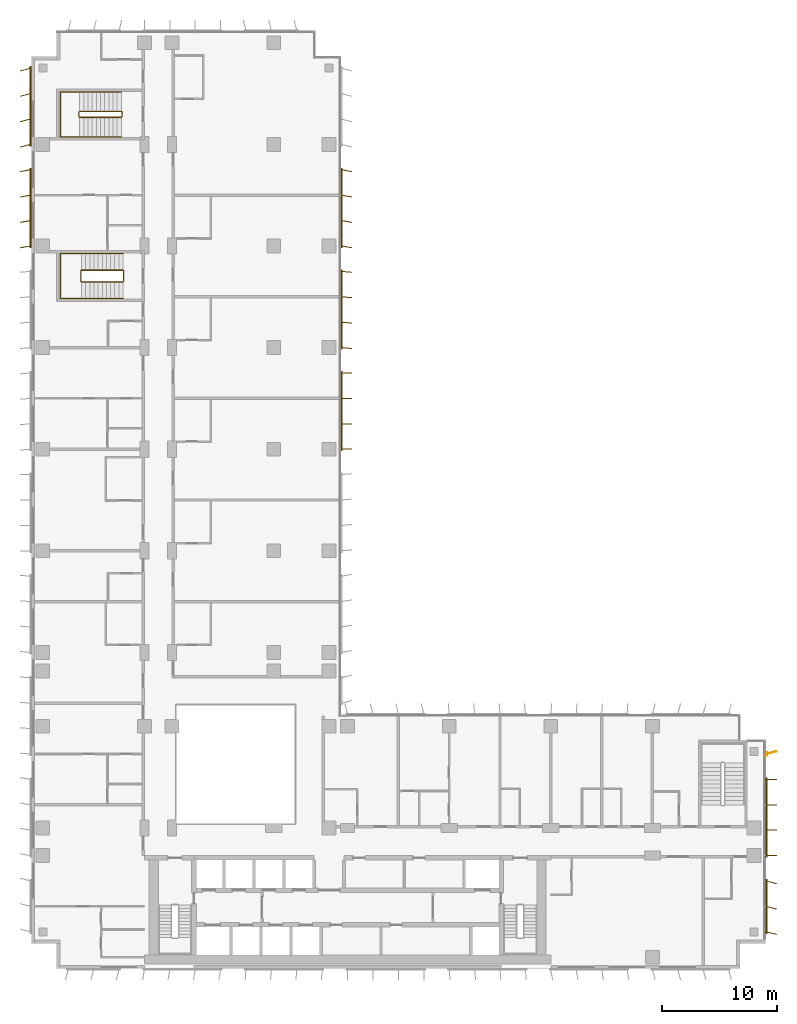
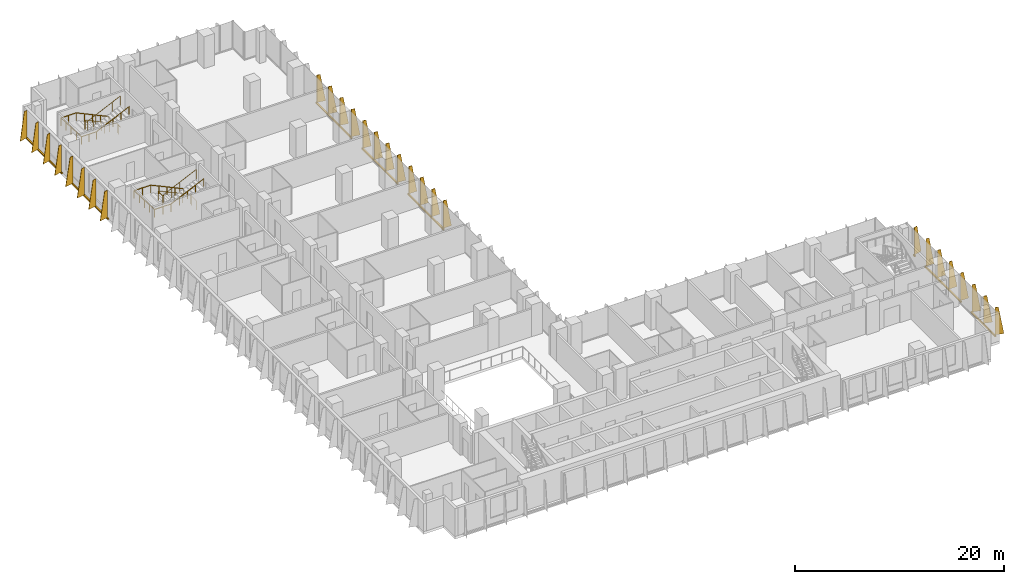
# One storey, part 21 of 22: 8 shading devices, 4 railings.
"""IFC4 building model written with IfcOpenShell, lengths in metres."""

import ifcopenshell
import ifcopenshell.guid

model = None  # the IFC model being written
_history = None  # IfcOwnerHistory: only IFC2X3 demands one
_inside = {}  # id of a spatial element -> (the spatial element, [elements in it])
_under = {}  # id of a project, library or spatial element -> (it, [spatial elements below it])
_declared = {}  # id of a project -> (the project, [libraries it declares])
_typed = {}  # id of a type object -> (the type object, [elements of that type])
_made_of = {}  # id of a material, layer set ... -> (it, [elements and type objects made of it])


def new_model(schema):
    """Start an empty IFC model of exactly this schema.

    Asked for "IFC4X3", IfcOpenShell would pick the latest addendum, in which some entities
    have other attributes; the version numbers below select the first issue.
    IFC2X3 requires an IfcOwnerHistory on every rooted entity: one is made here for all.
    """
    global model, _history
    if schema == "IFC4X3":
        model = ifcopenshell.file(schema_version=(4, 3, 0, 0))
    else:
        model = ifcopenshell.file(schema=schema)
    _inside.clear()
    _under.clear()
    _declared.clear()
    _typed.clear()
    _made_of.clear()
    _history = None
    if model.schema == "IFC2X3":
        org = make("IfcOrganization", Name="unknown")
        user = make(
            "IfcPersonAndOrganization",
            ThePerson=make("IfcPerson", FamilyName="unknown"),
            TheOrganization=org,
        )
        app = make(
            "IfcApplication",
            ApplicationDeveloper=org,
            Version="unknown",
            ApplicationFullName="unknown",
            ApplicationIdentifier="unknown",
        )
        _history = make(
            "IfcOwnerHistory",
            OwningUser=user,
            OwningApplication=app,
            ChangeAction="ADDED",
            CreationDate=0,
        )
    return model


def make(cls, **values):
    """One entity of the class cls with the attributes given. An attribute that is None is left unset."""
    return model.create_entity(
        cls, **{name: value for name, value in values.items() if value is not None}
    )


def rooted(cls, **values):
    """An entity with a GlobalId (a new one), such as an element, a storey or a relation."""
    return make(cls, GlobalId=ifcopenshell.guid.new(), OwnerHistory=_history, **values)


def si_unit(unit_type, name, prefix=None):
    """IfcSIUnit, for example si_unit("LENGTHUNIT", "METRE", prefix="MILLI")."""
    return make("IfcSIUnit", UnitType=unit_type, Prefix=prefix, Name=name)


def assignment(units):
    """IfcUnitAssignment: the units of a project."""
    return None if units is None else make("IfcUnitAssignment", Units=units)


def point(xyz):
    """IfcCartesianPoint."""
    return None if xyz is None else make("IfcCartesianPoint", Coordinates=xyz)


def direction(xyz):
    """IfcDirection."""
    return None if xyz is None else make("IfcDirection", DirectionRatios=xyz)


def frame(location, z_axis=None, x_axis=None):
    """IfcAxis2Placement3D, a coordinate frame: its origin and axes. An axis left out is left unset."""
    return make(
        "IfcAxis2Placement3D",
        Location=point(location),
        Axis=direction(z_axis),
        RefDirection=direction(x_axis),
    )


def frame_2d(location, x_axis=None):
    """IfcAxis2Placement2D, a coordinate frame in the plane: its origin and x axis."""
    return make(
        "IfcAxis2Placement2D", Location=point(location), RefDirection=direction(x_axis)
    )


def origin():
    """The frame at (0, 0, 0) with its axes left unset."""
    return frame((0.0, 0.0, 0.0))


def origin_2d():
    """The frame at (0, 0) in the plane with its x axis left unset."""
    return frame_2d((0.0, 0.0))


def place(relative_to, where):
    """IfcLocalPlacement: puts the frame where relative to a parent placement (None: the world)."""
    return make(
        "IfcLocalPlacement", PlacementRelTo=relative_to, RelativePlacement=where
    )


def context(
    kind, dimensions, precision=None, world=None, true_north=None, identifier=None
):
    """IfcGeometricRepresentationContext, for example the 3D "Model" context."""
    return make(
        "IfcGeometricRepresentationContext",
        ContextIdentifier=identifier,
        ContextType=kind,
        CoordinateSpaceDimension=dimensions,
        Precision=precision,
        WorldCoordinateSystem=world,
        TrueNorth=true_north,
    )


def subcontext(parent, identifier, kind, view, scale=None):
    """IfcGeometricRepresentationSubContext, for example "Body" below "Model"."""
    return make(
        "IfcGeometricRepresentationSubContext",
        ContextIdentifier=identifier,
        ContextType=kind,
        ParentContext=parent,
        TargetScale=scale,
        TargetView=view,
    )


def project(units=None, contexts=None):
    """IfcProject with its units and contexts."""
    return rooted(
        "IfcProject",
        Name="project",
        RepresentationContexts=contexts,
        UnitsInContext=assignment(units),
    )


def spatial(cls, under=None, at=None, **own):
    """A site, building, storey or space (cls), placed at a placement, below another one or the project."""
    s = rooted(cls, ObjectPlacement=at, **own)
    if under is not None:
        _under.setdefault(under.id(), (under, []))[1].append(s)
    return s


def polyline(points):
    """IfcPolyline through the points."""
    return make("IfcPolyline", Points=[point(p) for p in points])


def profile(cls, at=None, kind="AREA", **sizes):
    """A parametric profile (cls). Its sizes go by their IFC names, for example OverallWidth=200.0."""
    return make(cls, ProfileType=kind, Position=at, **sizes)


def rectangle(**sizes):
    """IfcRectangleProfileDef."""
    return profile("IfcRectangleProfileDef", **sizes)


def circle(**sizes):
    """IfcCircleProfileDef."""
    return profile("IfcCircleProfileDef", **sizes)


def outline(outer, holes=None, kind="AREA"):
    """IfcArbitraryClosedProfileDef: a profile drawn as a closed curve; with holes, ...WithVoids."""
    if holes is None:
        return make("IfcArbitraryClosedProfileDef", ProfileType=kind, OuterCurve=outer)
    return make(
        "IfcArbitraryProfileDefWithVoids",
        ProfileType=kind,
        OuterCurve=outer,
        InnerCurves=holes,
    )


def extrude(swept, where, along, depth):
    """IfcExtrudedAreaSolid: the profile swept, set in the frame where, extruded along a direction by depth."""
    return make(
        "IfcExtrudedAreaSolid",
        SweptArea=swept,
        Position=where,
        ExtrudedDirection=direction(along),
        Depth=depth,
    )


def shape(context_of_items, identifier, shape_type, items):
    """IfcShapeRepresentation: the items that make up one representation, for example the "Body"."""
    return make(
        "IfcShapeRepresentation",
        ContextOfItems=context_of_items,
        RepresentationIdentifier=identifier,
        RepresentationType=shape_type,
        Items=items,
    )


def source(mapping_origin, context_of_items, identifier, shape_type, items):
    """IfcRepresentationMap: a shape defined once, which mapped items show again and again."""
    return make(
        "IfcRepresentationMap",
        MappingOrigin=mapping_origin,
        MappedRepresentation=shape(context_of_items, identifier, shape_type, items),
    )


def transform(
    local_origin,
    x_axis=None,
    y_axis=None,
    z_axis=None,
    scale=None,
    scale2=None,
    scale3=None,
    uniform=True,
):
    """IfcCartesianTransformationOperator3D, or its non-uniform kind. x_axis, y_axis, z_axis: its Axis1, 2, 3."""
    if uniform:
        return make(
            "IfcCartesianTransformationOperator3D",
            Axis1=direction(x_axis),
            Axis2=direction(y_axis),
            LocalOrigin=point(local_origin),
            Scale=scale,
            Axis3=direction(z_axis),
        )
    return make(
        "IfcCartesianTransformationOperator3DnonUniform",
        Axis1=direction(x_axis),
        Axis2=direction(y_axis),
        LocalOrigin=point(local_origin),
        Scale=scale,
        Axis3=direction(z_axis),
        Scale2=scale2,
        Scale3=scale3,
    )


def mapped(mapping_source, mapping_target):
    """IfcMappedItem: shows the shape of a source again, moved by a transform."""
    return make(
        "IfcMappedItem", MappingSource=mapping_source, MappingTarget=mapping_target
    )


def material(Name=None, Category=None):
    """IfcMaterial."""
    return make("IfcMaterial", Name=Name, Category=Category)


def layer(
    of_material, thickness, ventilated=None, Name=None, Category=None, Priority=None
):
    """IfcMaterialLayer: one layer of a wall or slab, of a material (None: an air gap)."""
    return make(
        "IfcMaterialLayer",
        Material=of_material,
        LayerThickness=thickness,
        IsVentilated=ventilated,
        Name=Name,
        Category=Category,
        Priority=Priority,
    )


def layer_set(layers, Name=None):
    """IfcMaterialLayerSet."""
    return make("IfcMaterialLayerSet", MaterialLayers=layers, LayerSetName=Name)


def made_of(thing, what):
    """Note that an element or type object is made of a material, layer set ...; save() writes the relation."""
    if what is not None:
        _made_of.setdefault(what.id(), (what, []))[1].append(thing)
    return thing


def type_object(cls, material=None, **own):
    """A type object (cls), such as IfcWallType, which elements share."""
    return made_of(rooted(cls, **own), material)


def element(
    cls,
    number,
    at=None,
    inside=None,
    cuts=None,
    type_object=None,
    material=None,
    context=None,
    identifier="Body",
    shape_type=None,
    held_by="IfcProductDefinitionShape",
    body=None,
    shapes=None,
    **own,
):
    """One element of the class cls, such as IfcWall. Its Tag is "e" and its number.

    at: its placement. inside: the storey or other place that contains it. cuts: it is an
    opening in that element (IfcRelVoidsElement). A single representation is given by context,
    identifier, shape_type and body (its items); several are given by shapes. held_by: the class
    of the entity that holds the representations. save() writes the other relations.
    """
    e = rooted(cls, Tag="e%d" % number, ObjectPlacement=at, **own)
    if body is not None:
        shapes = [shape(context, identifier, shape_type, body)]
    if shapes is not None:
        e.Representation = make(held_by, Representations=shapes)
    if inside is not None:
        _inside.setdefault(inside.id(), (inside, []))[1].append(e)
    if cuts is not None:
        rooted(
            "IfcRelVoidsElement", RelatingBuildingElement=cuts, RelatedOpeningElement=e
        )
    if type_object is not None:
        _typed.setdefault(type_object.id(), (type_object, []))[1].append(e)
    return made_of(e, material)


def aggregate(whole, parts):
    """IfcRelAggregates: a whole, such as a stair, and the parts it consists of."""
    return rooted("IfcRelAggregates", RelatingObject=whole, RelatedObjects=parts)


def save(model, path):
    """Write the relations noted so far, then the file.

    IfcRelAggregates (storeys below a building ...), IfcRelContainedInSpatialStructure (elements
    in a storey), IfcRelDefinesByType, IfcRelAssociatesMaterial and IfcRelDeclares: one each for
    every whole, place, type object, material and project.
    """
    for whole, parts in _under.values():
        aggregate(whole, parts)
    for where, things in _inside.values():
        rooted(
            "IfcRelContainedInSpatialStructure",
            RelatedElements=things,
            RelatingStructure=where,
        )
    for kind, things in _typed.values():
        rooted("IfcRelDefinesByType", RelatedObjects=things, RelatingType=kind)
    for what, things in _made_of.values():
        rooted("IfcRelAssociatesMaterial", RelatedObjects=things, RelatingMaterial=what)
    for by, libraries in _declared.values():
        rooted("IfcRelDeclares", RelatingContext=by, RelatedDefinitions=libraries)
    model.write(path)


model = new_model("IFC4")

# Units and contexts
model_context = context("Model", 3, precision=1e-05, world=origin(), true_north=direction((0.0, 1.0)))
body_context = subcontext(model_context, "Body", "Model", "MODEL_VIEW")
ifc_project = project(units=[si_unit("LENGTHUNIT", "METRE"), si_unit("AREAUNIT", "SQUARE_METRE"), si_unit("VOLUMEUNIT", "CUBIC_METRE"), si_unit("PLANEANGLEUNIT", "RADIAN"), si_unit("MASSUNIT", "GRAM", prefix="KILO")], contexts=[model_context])

# Site, building, storey
site_placement = place(None, origin())
site = spatial("IfcSite", under=ifc_project, at=site_placement, CompositionType="ELEMENT")
building_placement = place(site_placement, origin())
building = spatial("IfcBuilding", under=site, at=building_placement, Name="Kemantara Hotel Tower", CompositionType="ELEMENT")
storey_placement = place(building_placement, frame((0.0, 0.0, 149.39990234375)))
storey = spatial("IfcBuildingStorey", under=building, at=storey_placement, Name="L36", CompositionType="ELEMENT", Elevation=149.39990234375)

# Railings
ifc_material_1 = material(Name="Stainless steel balustrade", Category="steel")
railing_type_1 = type_object("IfcRailingType", Name="Stair guard 1100 mm", PredefinedType="GUARDRAIL", material=ifc_material_1)
railing_1_placement = place(storey_placement, frame((7.949951171875, 59.5, 3.7001953125)))
element("IfcRailing", 1, at=railing_1_placement, inside=storey, type_object=railing_type_1, Name="L36 ST4 stair guard 1", PredefinedType="GUARDRAIL", context=body_context, shape_type="SweptSolid", body=[
    extrude(circle(Radius=0.02392578125, at=origin_2d()), frame((0.0, 0.0, 1.076171875), z_axis=(-0.905994681025, 0.0, -0.423289071386), x_axis=(0.0, -1.0, 0.0)), (0.0, 0.0, 1.0), 3.973388671875),
    extrude(circle(Radius=0.02392578125, at=origin_2d()), frame((-3.599853515625, 0.0, -0.60595703125), z_axis=(-0.274243871929, 0.274243871929, -0.92172696468), x_axis=(-0.707106781187, -0.707106781187, 0.0)), (0.0, 0.0, 1.0), 0.1826171875),
    extrude(circle(Radius=0.02392578125, at=origin_2d()), frame((-3.64990234375, 0.050048828125, -0.77392578125), z_axis=(0.0, 1.0, 0.0), x_axis=(-1.0, 0.0, 0.0)), (0.0, 0.0, 1.0), 0.89990234375),
    extrude(circle(Radius=0.02392578125, at=origin_2d()), frame((-3.64990234375, 0.949951171875, -0.77392578125), z_axis=(0.707106781187, 0.707106781187, 0.0), x_axis=(-0.707106781187, 0.707106781187, 0.0)), (0.0, 0.0, 1.0), 0.07080078125),
    extrude(circle(Radius=0.02392578125, at=origin_2d()), frame((-3.599853515625, 1.0, -0.77392578125), z_axis=(0.905994681025, 0.0, -0.423289071386), x_axis=(0.0, 1.0, 0.0)), (0.0, 0.0, 1.0), 3.973388671875),
    extrude(circle(Radius=0.02392578125, at=origin_2d()), frame((0.0, 1.0, -2.4560546875), z_axis=(0.274243871929, -0.274243871929, -0.92172696468), x_axis=(0.707106781187, 0.707106781187, 0.0)), (0.0, 0.0, 1.0), 0.1826171875),
    extrude(circle(Radius=0.02392578125, at=origin_2d()), frame((0.050048828125, 0.949951171875, -2.6240234375), z_axis=(0.0, -1.0, 0.0), x_axis=(1.0, 0.0, 0.0)), (0.0, 0.0, 1.0), 0.89990234375),
    extrude(circle(Radius=0.02099609375, at=origin_2d()), origin(), (0.0, 0.0, 1.0), 1.052001953125),
    extrude(circle(Radius=0.02099609375, at=origin_2d()), frame((-0.89990234375, 0.0, -0.42041015625)), (0.0, 0.0, 1.0), 1.052001953125),
    extrude(circle(Radius=0.02099609375, at=origin_2d()), frame((-1.7998046875, 0.0, -0.8408203125)), (0.0, 0.0, 1.0), 1.052001953125),
    extrude(circle(Radius=0.02099609375, at=origin_2d()), frame((-2.699951171875, 0.0, -1.261474609375)), (0.0, 0.0, 1.0), 1.052001953125),
    extrude(circle(Radius=0.02099609375, at=origin_2d()), frame((-3.599853515625, 0.0, -1.681884765625)), (0.0, 0.0, 1.0), 1.052001953125),
    extrude(circle(Radius=0.02099609375, at=origin_2d()), frame((-3.64990234375, 0.050048828125, -1.85009765625)), (0.0, 0.0, 1.0), 1.052001953125),
    extrude(circle(Radius=0.02099609375, at=origin_2d()), frame((-3.64990234375, 0.949951171875, -1.85009765625)), (0.0, 0.0, 1.0), 1.052001953125),
    extrude(circle(Radius=0.02099609375, at=origin_2d()), frame((-3.599853515625, 1.0, -1.85009765625)), (0.0, 0.0, 1.0), 1.052001953125),
    extrude(circle(Radius=0.02099609375, at=origin_2d()), frame((-2.699951171875, 1.0, -2.2705078125)), (0.0, 0.0, 1.0), 1.052001953125),
    extrude(circle(Radius=0.02099609375, at=origin_2d()), frame((-1.7998046875, 1.0, -2.69091796875)), (0.0, 0.0, 1.0), 1.052001953125),
    extrude(circle(Radius=0.02099609375, at=origin_2d()), frame((-0.89990234375, 1.0, -3.111572265625)), (0.0, 0.0, 1.0), 1.052001953125),
    extrude(circle(Radius=0.02099609375, at=origin_2d()), frame((0.0, 1.0, -3.531982421875)), (0.0, 0.0, 1.0), 1.052001953125),
    extrude(circle(Radius=0.02099609375, at=origin_2d()), frame((0.050048828125, 0.949951171875, -3.7001953125)), (0.0, 0.0, 1.0), 1.052001953125),
    extrude(circle(Radius=0.02099609375, at=origin_2d()), frame((0.050048828125, 0.050048828125, -3.7001953125)), (0.0, 0.0, 1.0), 1.052001953125),
])
railing_2_placement = place(storey_placement, frame((7.800048828125, 73.75, 3.7001953125)))
element("IfcRailing", 2, at=railing_2_placement, inside=storey, type_object=railing_type_1, Name="L36 ST6 stair guard 1", PredefinedType="GUARDRAIL", context=body_context, shape_type="SweptSolid", body=[
    extrude(circle(Radius=0.02392578125, at=origin_2d()), frame((0.0, 0.0, 1.076171875), z_axis=(-0.906005689286, 0.0, -0.423265508849), x_axis=(0.0, -1.0, 0.0)), (0.0, 0.0, 1.0), 3.9736328125),
    extrude(circle(Radius=0.02392578125, at=origin_2d()), frame((-3.60009765625, 0.0, -0.60595703125), z_axis=(-0.274243871929, 0.274243871929, -0.92172696468), x_axis=(-0.707106781187, -0.707106781187, 0.0)), (0.0, 0.0, 1.0), 0.1826171875),
    extrude(circle(Radius=0.02392578125, at=origin_2d()), frame((-3.650146484375, 0.050048828125, -0.77392578125), z_axis=(0.0, 1.0, 0.0), x_axis=(-1.0, 0.0, 0.0)), (0.0, 0.0, 1.0), 0.39990234375),
    extrude(circle(Radius=0.02392578125, at=origin_2d()), frame((-3.650146484375, 0.449951171875, -0.77392578125), z_axis=(0.707106781187, 0.707106781187, 0.0), x_axis=(-0.707106781187, 0.707106781187, 0.0)), (0.0, 0.0, 1.0), 0.07080078125),
    extrude(circle(Radius=0.02392578125, at=origin_2d()), frame((-3.60009765625, 0.5, -0.77392578125), z_axis=(0.906005689286, 0.0, -0.423265508849), x_axis=(0.0, 1.0, 0.0)), (0.0, 0.0, 1.0), 3.9736328125),
    extrude(circle(Radius=0.02392578125, at=origin_2d()), frame((0.0, 0.5, -2.4560546875), z_axis=(0.274243871929, -0.274243871929, -0.92172696468), x_axis=(0.707106781187, 0.707106781187, 0.0)), (0.0, 0.0, 1.0), 0.1826171875),
    extrude(circle(Radius=0.02392578125, at=origin_2d()), frame((0.050048828125, 0.449951171875, -2.6240234375), z_axis=(0.0, -1.0, 0.0), x_axis=(1.0, 0.0, 0.0)), (0.0, 0.0, 1.0), 0.39990234375),
    extrude(circle(Radius=0.02099609375, at=origin_2d()), origin(), (0.0, 0.0, 1.0), 1.052001953125),
    extrude(circle(Radius=0.02099609375, at=origin_2d()), frame((-0.89990234375, 0.0, -0.42041015625)), (0.0, 0.0, 1.0), 1.052001953125),
    extrude(circle(Radius=0.02099609375, at=origin_2d()), frame((-1.800048828125, 0.0, -0.8408203125)), (0.0, 0.0, 1.0), 1.052001953125),
    extrude(circle(Radius=0.02099609375, at=origin_2d()), frame((-2.7001953125, 0.0, -1.261474609375)), (0.0, 0.0, 1.0), 1.052001953125),
    extrude(circle(Radius=0.02099609375, at=origin_2d()), frame((-3.60009765625, 0.0, -1.681884765625)), (0.0, 0.0, 1.0), 1.052001953125),
    extrude(circle(Radius=0.02099609375, at=origin_2d()), frame((-3.650146484375, 0.050048828125, -1.85009765625)), (0.0, 0.0, 1.0), 1.052001953125),
    extrude(circle(Radius=0.02099609375, at=origin_2d()), frame((-3.650146484375, 0.449951171875, -1.85009765625)), (0.0, 0.0, 1.0), 1.052001953125),
    extrude(circle(Radius=0.02099609375, at=origin_2d()), frame((-3.60009765625, 0.5, -1.85009765625)), (0.0, 0.0, 1.0), 1.052001953125),
    extrude(circle(Radius=0.02099609375, at=origin_2d()), frame((-2.7001953125, 0.5, -2.2705078125)), (0.0, 0.0, 1.0), 1.052001953125),
    extrude(circle(Radius=0.02099609375, at=origin_2d()), frame((-1.800048828125, 0.5, -2.69091796875)), (0.0, 0.0, 1.0), 1.052001953125),
    extrude(circle(Radius=0.02099609375, at=origin_2d()), frame((-0.89990234375, 0.5, -3.111572265625)), (0.0, 0.0, 1.0), 1.052001953125),
    extrude(circle(Radius=0.02099609375, at=origin_2d()), frame((0.0, 0.5, -3.531982421875)), (0.0, 0.0, 1.0), 1.052001953125),
    extrude(circle(Radius=0.02099609375, at=origin_2d()), frame((0.050048828125, 0.449951171875, -3.7001953125)), (0.0, 0.0, 1.0), 1.052001953125),
    extrude(circle(Radius=0.02099609375, at=origin_2d()), frame((0.050048828125, 0.050048828125, -3.7001953125)), (0.0, 0.0, 1.0), 1.052001953125),
])
railing_type_2 = type_object("IfcRailingType", Name="Stair handrail 900 mm", PredefinedType="HANDRAIL", material=ifc_material_1)
railing_3_placement = place(storey_placement, frame((7.949951171875, 61.949951171875, 0.168212890625)))
element("IfcRailing", 3, at=railing_3_placement, inside=storey, type_object=railing_type_2, Name="L36 ST4 stair handrail 1", PredefinedType="HANDRAIL", context=body_context, shape_type="SweptSolid", body=[
    extrude(circle(Radius=0.02392578125, at=origin_2d()), frame((0.0, 0.0, 0.8759765625), z_axis=(-0.905994681025, 0.0, 0.423289071386), x_axis=(0.0, -1.0, 0.0)), (0.0, 0.0, 1.0), 3.973388671875),
    extrude(circle(Radius=0.02392578125, at=origin_2d()), frame((-3.599853515625, 0.0, 2.5576171875), z_axis=(-1.0, 0.0, 0.0), x_axis=(0.0, -1.0, 0.0)), (0.0, 0.0, 1.0), 1.830078125),
    extrude(circle(Radius=0.02392578125, at=origin_2d()), frame((-5.429931640625, 0.0, 2.5576171875), z_axis=(0.0, -0.999071085748, 0.043092523981), x_axis=(1.0, 0.0, 0.0)), (0.0, 0.0, 1.0), 3.903564453125),
    extrude(circle(Radius=0.02392578125, at=origin_2d()), frame((-5.429931640625, -3.89990234375, 2.72607421875), z_axis=(1.0, 0.0, 0.0), x_axis=(0.0, 1.0, 0.0)), (0.0, 0.0, 1.0), 1.830078125),
    extrude(circle(Radius=0.02392578125, at=origin_2d()), frame((-3.599853515625, -3.89990234375, 2.72607421875), z_axis=(0.905994681025, 0.0, 0.423289071386), x_axis=(0.0, 1.0, 0.0)), (0.0, 0.0, 1.0), 3.973388671875),
    extrude(circle(Radius=0.02099609375, at=origin_2d()), origin(), (0.0, 0.0, 1.0), 0.851806640625),
    extrude(circle(Radius=0.02099609375, at=origin_2d()), frame((-0.89990234375, 0.0, 0.42041015625)), (0.0, 0.0, 1.0), 0.851806640625),
    extrude(circle(Radius=0.02099609375, at=origin_2d()), frame((-1.7998046875, 0.0, 0.8408203125)), (0.0, 0.0, 1.0), 0.851806640625),
    extrude(circle(Radius=0.02099609375, at=origin_2d()), frame((-2.699951171875, 0.0, 1.261474609375)), (0.0, 0.0, 1.0), 0.851806640625),
    extrude(circle(Radius=0.02099609375, at=origin_2d()), frame((-3.599853515625, 0.0, 1.681884765625)), (0.0, 0.0, 1.0), 0.851806640625),
    extrude(circle(Radius=0.02099609375, at=origin_2d()), frame((-4.514892578125, 0.0, 1.681884765625)), (0.0, 0.0, 1.0), 0.851806640625),
    extrude(circle(Radius=0.02099609375, at=origin_2d()), frame((-5.429931640625, 0.0, 1.681884765625)), (0.0, 0.0, 1.0), 0.851806640625),
    extrude(circle(Radius=0.02099609375, at=origin_2d()), frame((-5.429931640625, -0.97509765625, 1.723876953125)), (0.0, 0.0, 1.0), 0.851806640625),
    extrude(circle(Radius=0.02099609375, at=origin_2d()), frame((-5.429931640625, -1.949951171875, 1.76611328125)), (0.0, 0.0, 1.0), 0.851806640625),
    extrude(circle(Radius=0.02099609375, at=origin_2d()), frame((-5.429931640625, -2.9248046875, 1.80810546875)), (0.0, 0.0, 1.0), 0.851806640625),
    extrude(circle(Radius=0.02099609375, at=origin_2d()), frame((-5.429931640625, -3.89990234375, 1.85009765625)), (0.0, 0.0, 1.0), 0.851806640625),
    extrude(circle(Radius=0.02099609375, at=origin_2d()), frame((-4.514892578125, -3.89990234375, 1.85009765625)), (0.0, 0.0, 1.0), 0.851806640625),
    extrude(circle(Radius=0.02099609375, at=origin_2d()), frame((-3.599853515625, -3.89990234375, 1.85009765625)), (0.0, 0.0, 1.0), 0.851806640625),
    extrude(circle(Radius=0.02099609375, at=origin_2d()), frame((-2.699951171875, -3.89990234375, 2.2705078125)), (0.0, 0.0, 1.0), 0.851806640625),
    extrude(circle(Radius=0.02099609375, at=origin_2d()), frame((-1.7998046875, -3.89990234375, 2.69091796875)), (0.0, 0.0, 1.0), 0.851806640625),
    extrude(circle(Radius=0.02099609375, at=origin_2d()), frame((-0.89990234375, -3.89990234375, 3.111572265625)), (0.0, 0.0, 1.0), 0.851806640625),
    extrude(circle(Radius=0.02099609375, at=origin_2d()), frame((0.0, -3.89990234375, 3.531982421875)), (0.0, 0.0, 1.0), 0.851806640625),
])
railing_4_placement = place(storey_placement, frame((7.800048828125, 75.949951171875, 0.168212890625)))
element("IfcRailing", 4, at=railing_4_placement, inside=storey, type_object=railing_type_2, Name="L36 ST6 stair handrail 1", PredefinedType="HANDRAIL", context=body_context, shape_type="SweptSolid", body=[
    extrude(circle(Radius=0.02392578125, at=origin_2d()), frame((0.0, 0.0, 0.8759765625), z_axis=(-0.906005689286, 0.0, 0.423265508849), x_axis=(0.0, -1.0, 0.0)), (0.0, 0.0, 1.0), 3.9736328125),
    extrude(circle(Radius=0.02392578125, at=origin_2d()), frame((-3.60009765625, 0.0, 2.5576171875), z_axis=(-1.0, 0.0, 0.0), x_axis=(0.0, -1.0, 0.0)), (0.0, 0.0, 1.0), 1.679931640625),
    extrude(circle(Radius=0.02392578125, at=origin_2d()), frame((-5.280029296875, 0.0, 2.5576171875), z_axis=(0.0, -0.999071085748, 0.043092523981), x_axis=(1.0, 0.0, 0.0)), (0.0, 0.0, 1.0), 3.903564453125),
    extrude(circle(Radius=0.02392578125, at=origin_2d()), frame((-5.280029296875, -3.89990234375, 2.72607421875), z_axis=(1.0, 0.0, 0.0), x_axis=(0.0, 1.0, 0.0)), (0.0, 0.0, 1.0), 1.679931640625),
    extrude(circle(Radius=0.02392578125, at=origin_2d()), frame((-3.60009765625, -3.89990234375, 2.72607421875), z_axis=(0.906005689286, 0.0, 0.423265508849), x_axis=(0.0, 1.0, 0.0)), (0.0, 0.0, 1.0), 3.9736328125),
    extrude(circle(Radius=0.02099609375, at=origin_2d()), origin(), (0.0, 0.0, 1.0), 0.851806640625),
    extrude(circle(Radius=0.02099609375, at=origin_2d()), frame((-0.89990234375, 0.0, 0.42041015625)), (0.0, 0.0, 1.0), 0.851806640625),
    extrude(circle(Radius=0.02099609375, at=origin_2d()), frame((-1.800048828125, 0.0, 0.8408203125)), (0.0, 0.0, 1.0), 0.851806640625),
    extrude(circle(Radius=0.02099609375, at=origin_2d()), frame((-2.7001953125, 0.0, 1.261474609375)), (0.0, 0.0, 1.0), 0.851806640625),
    extrude(circle(Radius=0.02099609375, at=origin_2d()), frame((-3.60009765625, 0.0, 1.681884765625)), (0.0, 0.0, 1.0), 0.851806640625),
    extrude(circle(Radius=0.02099609375, at=origin_2d()), frame((-4.43994140625, 0.0, 1.681884765625)), (0.0, 0.0, 1.0), 0.851806640625),
    extrude(circle(Radius=0.02099609375, at=origin_2d()), frame((-5.280029296875, 0.0, 1.681884765625)), (0.0, 0.0, 1.0), 0.851806640625),
    extrude(circle(Radius=0.02099609375, at=origin_2d()), frame((-5.280029296875, -0.97509765625, 1.723876953125)), (0.0, 0.0, 1.0), 0.851806640625),
    extrude(circle(Radius=0.02099609375, at=origin_2d()), frame((-5.280029296875, -1.949951171875, 1.76611328125)), (0.0, 0.0, 1.0), 0.851806640625),
    extrude(circle(Radius=0.02099609375, at=origin_2d()), frame((-5.280029296875, -2.9248046875, 1.80810546875)), (0.0, 0.0, 1.0), 0.851806640625),
    extrude(circle(Radius=0.02099609375, at=origin_2d()), frame((-5.280029296875, -3.89990234375, 1.85009765625)), (0.0, 0.0, 1.0), 0.851806640625),
    extrude(circle(Radius=0.02099609375, at=origin_2d()), frame((-4.43994140625, -3.89990234375, 1.85009765625)), (0.0, 0.0, 1.0), 0.851806640625),
    extrude(circle(Radius=0.02099609375, at=origin_2d()), frame((-3.60009765625, -3.89990234375, 1.85009765625)), (0.0, 0.0, 1.0), 0.851806640625),
    extrude(circle(Radius=0.02099609375, at=origin_2d()), frame((-2.7001953125, -3.89990234375, 2.2705078125)), (0.0, 0.0, 1.0), 0.851806640625),
    extrude(circle(Radius=0.02099609375, at=origin_2d()), frame((-1.800048828125, -3.89990234375, 2.69091796875)), (0.0, 0.0, 1.0), 0.851806640625),
    extrude(circle(Radius=0.02099609375, at=origin_2d()), frame((-0.89990234375, -3.89990234375, 3.111572265625)), (0.0, 0.0, 1.0), 0.851806640625),
    extrude(circle(Radius=0.02099609375, at=origin_2d()), frame((0.0, -3.89990234375, 3.531982421875)), (0.0, 0.0, 1.0), 0.851806640625),
])

# Shading devices
ifc_material_2 = material(Name="Perforated aluminium plate 4 mm bronze anodised", Category="aluminium")
ifc_layer_1 = layer(ifc_material_2, 0.0400390625)
ifc_layer_set_1 = layer_set([ifc_layer_1], Name="Perforated aluminium plate 4 mm bronze anodised")
shading_device_type_1 = type_object("IfcShadingDeviceType", Name="SCREEN FIN CASSETTE, 3 BLADES AT -15.0 DEG, 3200 HIGH", PredefinedType="USERDEFINED", material=ifc_layer_set_1)
shared_shape_1 = source(origin(), body_context, "Body", "SweptSolid", [
    extrude(rectangle(XDim=4.699951171875, YDim=0.14990234375, at=origin_2d()), frame((2.199951171875, -0.074951171875, -0.14990234375), z_axis=(0.0, 0.0, 1.0), x_axis=(1.0, 0.0, 0.0)), (0.0, 0.0, 1.0), 0.14990234375),
    extrude(outline(polyline([(0.0, 0.0), (0.89990234375, 0.0), (0.35009765625, 3.199951171875), (0.0, 3.199951171875), (0.0, 0.0)])), frame((0.019287109375, -0.080078125, 0.0), z_axis=(-0.966437683387, 0.256901156343, 0.0), x_axis=(-0.256901156343, -0.966437683387, 0.0)), (0.0, 0.0, 1.0), 0.039794921875),
    extrude(outline(polyline([(0.0, 0.0), (0.89990234375, 0.0), (0.35009765625, 3.199951171875), (0.0, 3.199951171875), (0.0, 0.0)])), frame((2.21923828125, -0.080078125, 0.0), z_axis=(-0.966437683387, 0.256901156343, 0.0), x_axis=(-0.256901156343, -0.966437683387, 0.0)), (0.0, 0.0, 1.0), 0.039794921875),
    extrude(outline(polyline([(0.0, 0.0), (0.89990234375, 0.0), (0.35009765625, 3.199951171875), (0.0, 3.199951171875), (0.0, 0.0)])), frame((4.41943359375, -0.080078125, 0.0), z_axis=(-0.966837822169, 0.255391122837, 0.0), x_axis=(-0.255391122837, -0.966837822169, 0.0)), (0.0, 0.0, 1.0), 0.0400390625),
])
shading_device_1_placement = place(storey_placement, frame((63.60009765625, 3.199951171875, 0.10009765625), z_axis=(0.0, 0.0, 1.0), x_axis=(0.0, 1.0, 0.0)))
element("IfcShadingDevice", 5, at=shading_device_1_placement, inside=storey, type_object=shading_device_type_1, Name="SCREEN FIN CASSETTE L36 T2-R10-1", ObjectType="SCREEN FIN", PredefinedType="USERDEFINED", context=body_context, shape_type="MappedRepresentation", body=[
    mapped(shared_shape_1, transform((0.0, 0.0, 0.0))),
])
ifc_layer_2 = layer(ifc_material_2, 0.0400390625)
ifc_layer_set_2 = layer_set([ifc_layer_2], Name="Perforated aluminium plate 4 mm bronze anodised")
shading_device_type_2 = type_object("IfcShadingDeviceType", Name="SCREEN FIN CASSETTE, 4 BLADES AT -10.0 DEG, 3200 HIGH", PredefinedType="USERDEFINED", material=ifc_layer_set_2)
shared_shape_2 = source(origin(), body_context, "Body", "SweptSolid", [
    extrude(rectangle(XDim=6.89990234375, YDim=0.14990234375, at=origin_2d()), frame((3.300048828125, -0.074951171875, -0.14990234375), z_axis=(0.0, 0.0, 1.0), x_axis=(1.0, 0.0, 0.0)), (0.0, 0.0, 1.0), 0.14990234375),
    extrude(outline(polyline([(0.0, 0.0), (0.89990234375, 0.0), (0.35009765625, 3.199951171875), (0.0, 3.199951171875), (0.0, 0.0)])), frame((0.019775390625, -0.078369140625, 0.0), z_axis=(-0.985389793052, 0.170314285219, 0.0), x_axis=(-0.170314285219, -0.985389793052, 0.0)), (0.0, 0.0, 1.0), 0.0400390625),
    extrude(outline(polyline([(0.0, 0.0), (0.89990234375, 0.0), (0.35009765625, 3.199951171875), (0.0, 3.199951171875), (0.0, 0.0)])), frame((2.2197265625, -0.078369140625, 0.0), z_axis=(-0.98521175482, 0.171341174751, 0.0), x_axis=(-0.171341174751, -0.98521175482, 0.0)), (0.0, 0.0, 1.0), 0.039794921875),
    extrude(outline(polyline([(0.0, 0.0), (0.89990234375, 0.0), (0.35009765625, 3.199951171875), (0.0, 3.199951171875), (0.0, 0.0)])), frame((4.419677734375, -0.078369140625, 0.0), z_axis=(-0.98521175482, 0.171341174751, 0.0), x_axis=(-0.171341174751, -0.98521175482, 0.0)), (0.0, 0.0, 1.0), 0.039794921875),
    extrude(outline(polyline([(0.0, 0.0), (0.89990234375, 0.0), (0.35009765625, 3.199951171875), (0.0, 3.199951171875), (0.0, 0.0)])), frame((6.61962890625, -0.078369140625, 0.0), z_axis=(-0.98521175482, 0.171341174751, 0.0), x_axis=(-0.171341174751, -0.98521175482, 0.0)), (0.0, 0.0, 1.0), 0.039794921875),
])
shading_device_2_placement = place(storey_placement, frame((26.800048828125, 62.60009765625, 0.10009765625), z_axis=(0.0, 0.0, 1.0), x_axis=(0.0, 1.0, 0.0)))
element("IfcShadingDevice", 6, at=shading_device_2_placement, inside=storey, type_object=shading_device_type_2, Name="SCREEN FIN CASSETTE L36 T2-R14-6", ObjectType="SCREEN FIN", PredefinedType="USERDEFINED", context=body_context, shape_type="MappedRepresentation", body=[
    mapped(shared_shape_2, transform((0.0, 0.0, 0.0))),
])
ifc_layer_3 = layer(ifc_material_2, 0.0400390625)
ifc_layer_set_3 = layer_set([ifc_layer_3], Name="Perforated aluminium plate 4 mm bronze anodised")
shading_device_type_3 = type_object("IfcShadingDeviceType", Name="SCREEN FIN CASSETTE, 4 BLADES AT -5.0 DEG, 3200 HIGH", PredefinedType="USERDEFINED", material=ifc_layer_set_3)
shared_shape_3 = source(origin(), body_context, "Body", "SweptSolid", [
    extrude(rectangle(XDim=6.89990234375, YDim=0.14990234375, at=origin_2d()), frame((3.300048828125, -0.074951171875, -0.14990234375), z_axis=(0.0, 0.0, 1.0), x_axis=(1.0, 0.0, 0.0)), (0.0, 0.0, 1.0), 0.14990234375),
    extrude(outline(polyline([(0.0, 0.0), (0.89990234375, 0.0), (0.35009765625, 3.199951171875), (0.0, 3.199951171875), (0.0, 0.0)])), frame((0.02001953125, -0.07666015625, 0.0), z_axis=(-0.996376129781, 0.085056498884, 0.0), x_axis=(-0.085056498884, -0.996376129781, 0.0)), (0.0, 0.0, 1.0), 0.040283203125),
    extrude(outline(polyline([(0.0, 0.0), (0.89990234375, 0.0), (0.35009765625, 3.199951171875), (0.0, 3.199951171875), (0.0, 0.0)])), frame((2.219970703125, -0.07666015625, 0.0), z_axis=(-0.996331773833, 0.085574508182, 0.0), x_axis=(-0.085574508182, -0.996331773833, 0.0)), (0.0, 0.0, 1.0), 0.0400390625),
    extrude(outline(polyline([(0.0, 0.0), (0.89990234375, 0.0), (0.35009765625, 3.199951171875), (0.0, 3.199951171875), (0.0, 0.0)])), frame((4.419921875, -0.07666015625, 0.0), z_axis=(-0.996331773833, 0.085574508182, 0.0), x_axis=(-0.085574508182, -0.996331773833, 0.0)), (0.0, 0.0, 1.0), 0.0400390625),
    extrude(outline(polyline([(0.0, 0.0), (0.89990234375, 0.0), (0.35009765625, 3.199951171875), (0.0, 3.199951171875), (0.0, 0.0)])), frame((6.619873046875, -0.07666015625, 0.0), z_axis=(-0.996331773833, 0.085574508182, 0.0), x_axis=(-0.085574508182, -0.996331773833, 0.0)), (0.0, 0.0, 1.0), 0.0400390625),
])
shading_device_3_placement = place(storey_placement, frame((26.800048828125, 53.800048828125, 0.10009765625), z_axis=(0.0, 0.0, 1.0), x_axis=(0.0, 1.0, 0.0)))
element("IfcShadingDevice", 7, at=shading_device_3_placement, inside=storey, type_object=shading_device_type_3, Name="SCREEN FIN CASSETTE L36 T2-R14-5", ObjectType="SCREEN FIN", PredefinedType="USERDEFINED", context=body_context, shape_type="MappedRepresentation", body=[
    mapped(shared_shape_3, transform((0.0, 0.0, 0.0))),
])
ifc_layer_4 = layer(ifc_material_2, 0.0400390625)
ifc_layer_set_4 = layer_set([ifc_layer_4], Name="Perforated aluminium plate 4 mm bronze anodised")
shading_device_type_4 = type_object("IfcShadingDeviceType", Name="SCREEN FIN CASSETTE, 4 BLADES AT +0.0 DEG, 3200 HIGH", PredefinedType="USERDEFINED", material=ifc_layer_set_4)
shared_shape_4 = source(origin(), body_context, "Body", "SweptSolid", [
    extrude(rectangle(XDim=6.89990234375, YDim=0.14990234375, at=origin_2d()), frame((3.300048828125, -0.074951171875, -0.14990234375), z_axis=(0.0, 0.0, 1.0), x_axis=(1.0, 0.0, 0.0)), (0.0, 0.0, 1.0), 0.14990234375),
    extrude(outline(polyline([(0.0, 0.0), (0.89990234375, 0.0), (0.35009765625, 3.199951171875), (0.0, 3.199951171875), (0.0, 0.0)])), frame((0.02001953125, -0.074951171875, 0.0), z_axis=(-1.0, 0.0, 0.0), x_axis=(0.0, -1.0, 0.0)), (0.0, 0.0, 1.0), 0.0400390625),
    extrude(outline(polyline([(0.0, 0.0), (0.89990234375, 0.0), (0.35009765625, 3.199951171875), (0.0, 3.199951171875), (0.0, 0.0)])), frame((2.219970703125, -0.074951171875, 0.0), z_axis=(-1.0, 0.0, 0.0), x_axis=(0.0, -1.0, 0.0)), (0.0, 0.0, 1.0), 0.0400390625),
    extrude(outline(polyline([(0.0, 0.0), (0.89990234375, 0.0), (0.35009765625, 3.199951171875), (0.0, 3.199951171875), (0.0, 0.0)])), frame((4.419921875, -0.074951171875, 0.0), z_axis=(-1.0, 0.0, 0.0), x_axis=(0.0, -1.0, 0.0)), (0.0, 0.0, 1.0), 0.0400390625),
    extrude(outline(polyline([(0.0, 0.0), (0.89990234375, 0.0), (0.35009765625, 3.199951171875), (0.0, 3.199951171875), (0.0, 0.0)])), frame((6.6201171875, -0.074951171875, 0.0), z_axis=(-1.0, 0.0, 0.0), x_axis=(0.0, -1.0, 0.0)), (0.0, 0.0, 1.0), 0.0400390625),
])
for number, where, z_axis, x_axis, name in (
    (8, (63.60009765625, 9.800048828125, 0.10009765625), (0.0, 0.0, 1.0), (0.0, 1.0, 0.0), "SCREEN FIN CASSETTE L36 T2-R10-2"),
    (9, (26.800048828125, 45.0, 0.10009765625), (0.0, 0.0, 1.0), (0.0, 1.0, 0.0), "SCREEN FIN CASSETTE L36 T2-R14-4"),
):
    element("IfcShadingDevice", number, at=place(storey_placement, frame(where, z_axis=z_axis, x_axis=x_axis)), inside=storey, type_object=shading_device_type_4, Name=name, ObjectType="SCREEN FIN", PredefinedType="USERDEFINED", context=body_context, shape_type="MappedRepresentation", body=[
        mapped(shared_shape_4, transform((0.0, 0.0, 0.0))),
    ])
ifc_layer_5 = layer(ifc_material_2, 0.0400390625)
ifc_layer_set_5 = layer_set([ifc_layer_5], Name="Perforated aluminium plate 4 mm bronze anodised")
shading_device_type_5 = type_object("IfcShadingDeviceType", Name="SCREEN FIN CASSETTE, 4 BLADES AT +10.0 DEG, 3200 HIGH", PredefinedType="USERDEFINED", material=ifc_layer_set_5)
shared_shape_5 = source(origin(), body_context, "Body", "SweptSolid", [
    extrude(rectangle(XDim=6.89990234375, YDim=0.14990234375, at=origin_2d()), frame((3.300048828125, -0.074951171875, -0.14990234375), z_axis=(0.0, 0.0, 1.0), x_axis=(1.0, 0.0, 0.0)), (0.0, 0.0, 1.0), 0.14990234375),
    extrude(outline(polyline([(0.0, 0.0), (0.89990234375, 0.0), (0.35009765625, 3.199951171875), (0.0, 3.199951171875), (0.0, 0.0)])), frame((0.019775390625, -0.071533203125, 0.0), z_axis=(-0.985389793052, -0.170314285219, 0.0), x_axis=(0.170314285219, -0.985389793052, 0.0)), (0.0, 0.0, 1.0), 0.0400390625),
    extrude(outline(polyline([(0.0, 0.0), (0.89990234375, 0.0), (0.35009765625, 3.199951171875), (0.0, 3.199951171875), (0.0, 0.0)])), frame((2.2197265625, -0.071533203125, 0.0), z_axis=(-0.98521175482, -0.171341174751, 0.0), x_axis=(0.171341174751, -0.98521175482, 0.0)), (0.0, 0.0, 1.0), 0.039794921875),
    extrude(outline(polyline([(0.0, 0.0), (0.89990234375, 0.0), (0.35009765625, 3.199951171875), (0.0, 3.199951171875), (0.0, 0.0)])), frame((4.419677734375, -0.071533203125, 0.0), z_axis=(-0.98521175482, -0.171341174751, 0.0), x_axis=(0.171341174751, -0.98521175482, 0.0)), (0.0, 0.0, 1.0), 0.039794921875),
    extrude(outline(polyline([(0.0, 0.0), (0.89990234375, 0.0), (0.35009765625, 3.199951171875), (0.0, 3.199951171875), (0.0, 0.0)])), frame((6.61962890625, -0.071533203125, 0.0), z_axis=(-0.98521175482, -0.171341174751, 0.0), x_axis=(0.171341174751, -0.98521175482, 0.0)), (0.0, 0.0, 1.0), 0.039794921875),
])
shading_device_4_placement = place(storey_placement, frame((0.0, 69.199951171875, 0.10009765625), z_axis=(0.0, 0.0, 1.0), x_axis=(0.0, -1.0, 0.0)))
element("IfcShadingDevice", 10, at=shading_device_4_placement, inside=storey, type_object=shading_device_type_5, Name="SCREEN FIN CASSETTE L36 T2-R04-2", ObjectType="SCREEN FIN", PredefinedType="USERDEFINED", context=body_context, shape_type="MappedRepresentation", body=[
    mapped(shared_shape_5, transform((0.0, 0.0, 0.0))),
])
ifc_layer_6 = layer(ifc_material_2, 0.0400390625)
ifc_layer_set_6 = layer_set([ifc_layer_6], Name="Perforated aluminium plate 4 mm bronze anodised")
shading_device_type_6 = type_object("IfcShadingDeviceType", Name="SCREEN FIN CASSETTE, 4 BLADES AT +15.0 DEG, 3200 HIGH", PredefinedType="USERDEFINED", material=ifc_layer_set_6)
shared_shape_6 = source(origin(), body_context, "Body", "SweptSolid", [
    extrude(rectangle(XDim=6.89990234375, YDim=0.14990234375, at=origin_2d()), frame((3.300048828125, -0.074951171875, -0.14990234375), z_axis=(0.0, 0.0, 1.0), x_axis=(1.0, 0.0, 0.0)), (0.0, 0.0, 1.0), 0.14990234375),
    extrude(outline(polyline([(0.0, 0.0), (0.89990234375, 0.0), (0.35009765625, 3.199951171875), (0.0, 3.199951171875), (0.0, 0.0)])), frame((0.019287109375, -0.06982421875, 0.0), z_axis=(-0.966437683387, -0.256901156343, 0.0), x_axis=(0.256901156343, -0.966437683387, 0.0)), (0.0, 0.0, 1.0), 0.039794921875),
    extrude(outline(polyline([(0.0, 0.0), (0.89990234375, 0.0), (0.35009765625, 3.199951171875), (0.0, 3.199951171875), (0.0, 0.0)])), frame((2.21923828125, -0.06982421875, 0.0), z_axis=(-0.966437683387, -0.256901156343, 0.0), x_axis=(0.256901156343, -0.966437683387, 0.0)), (0.0, 0.0, 1.0), 0.039794921875),
    extrude(outline(polyline([(0.0, 0.0), (0.89990234375, 0.0), (0.35009765625, 3.199951171875), (0.0, 3.199951171875), (0.0, 0.0)])), frame((4.41943359375, -0.06982421875, 0.0), z_axis=(-0.966837822169, -0.255391122837, 0.0), x_axis=(0.255391122837, -0.966837822169, 0.0)), (0.0, 0.0, 1.0), 0.0400390625),
    extrude(outline(polyline([(0.0, 0.0), (0.89990234375, 0.0), (0.35009765625, 3.199951171875), (0.0, 3.199951171875), (0.0, 0.0)])), frame((6.619384765625, -0.06982421875, 0.0), z_axis=(-0.966837822169, -0.255391122837, 0.0), x_axis=(0.255391122837, -0.966837822169, 0.0)), (0.0, 0.0, 1.0), 0.0400390625),
])
shading_device_5_placement = place(storey_placement, frame((0.0, 78.0, 0.10009765625), z_axis=(0.0, 0.0, 1.0), x_axis=(0.0, -1.0, 0.0)))
element("IfcShadingDevice", 11, at=shading_device_5_placement, inside=storey, type_object=shading_device_type_6, Name="SCREEN FIN CASSETTE L36 T2-R04-1", ObjectType="SCREEN FIN", PredefinedType="USERDEFINED", context=body_context, shape_type="MappedRepresentation", body=[
    mapped(shared_shape_6, transform((0.0, 0.0, 0.0))),
])
ifc_layer_7 = layer(ifc_material_2, 0.0400390625)
ifc_layer_set_7 = layer_set([ifc_layer_7], Name="Perforated aluminium plate 4 mm bronze anodised")
shading_device_type_7 = type_object("IfcShadingDeviceType", Name="SCREEN FIN CASSETTE, 1 BLADE AT +15.0 DEG, 3200 HIGH", PredefinedType="USERDEFINED", material=ifc_layer_set_7)
shared_shape_7 = source(origin(), body_context, "Body", "SweptSolid", [
    extrude(rectangle(XDim=0.300048828125, YDim=0.14990234375, at=origin_2d()), frame((0.0, -0.074951171875, -0.14990234375), z_axis=(0.0, 0.0, 1.0), x_axis=(1.0, 0.0, 0.0)), (0.0, 0.0, 1.0), 0.14990234375),
    extrude(outline(polyline([(0.0, 0.0), (0.89990234375, 0.0), (0.35009765625, 3.199951171875), (0.0, 3.199951171875), (0.0, 0.0)])), frame((0.019287109375, -0.06982421875, 0.0), z_axis=(-0.966437683387, -0.256901156343, 0.0), x_axis=(0.256901156343, -0.966437683387, 0.0)), (0.0, 0.0, 1.0), 0.039794921875),
])
shading_device_6_placement = place(storey_placement, frame((63.60009765625, 18.60009765625, 0.10009765625), z_axis=(0.0, 0.0, 1.0), x_axis=(0.0, 1.0, 0.0)))
element("IfcShadingDevice", 12, at=shading_device_6_placement, inside=storey, type_object=shading_device_type_7, Name="SCREEN FIN CASSETTE L36 T2-R10-3", ObjectType="SCREEN FIN", PredefinedType="USERDEFINED", context=body_context, shape_type="MappedRepresentation", body=[
    mapped(shared_shape_7, transform((0.0, 0.0, 0.0))),
])

save(model, "model.ifc")
